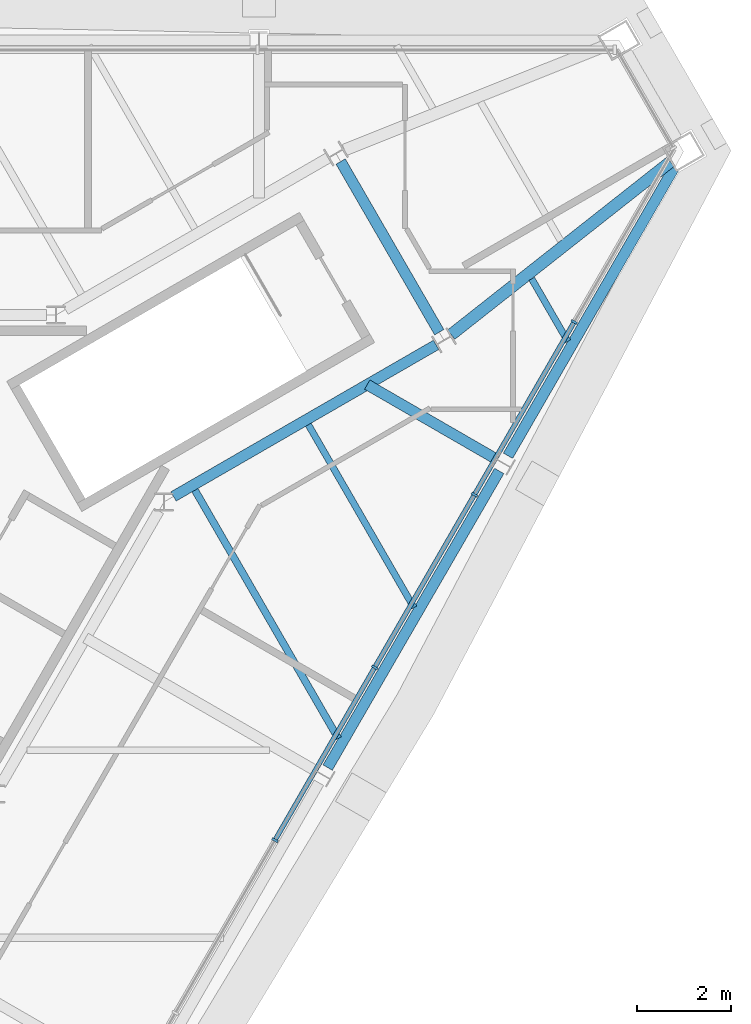
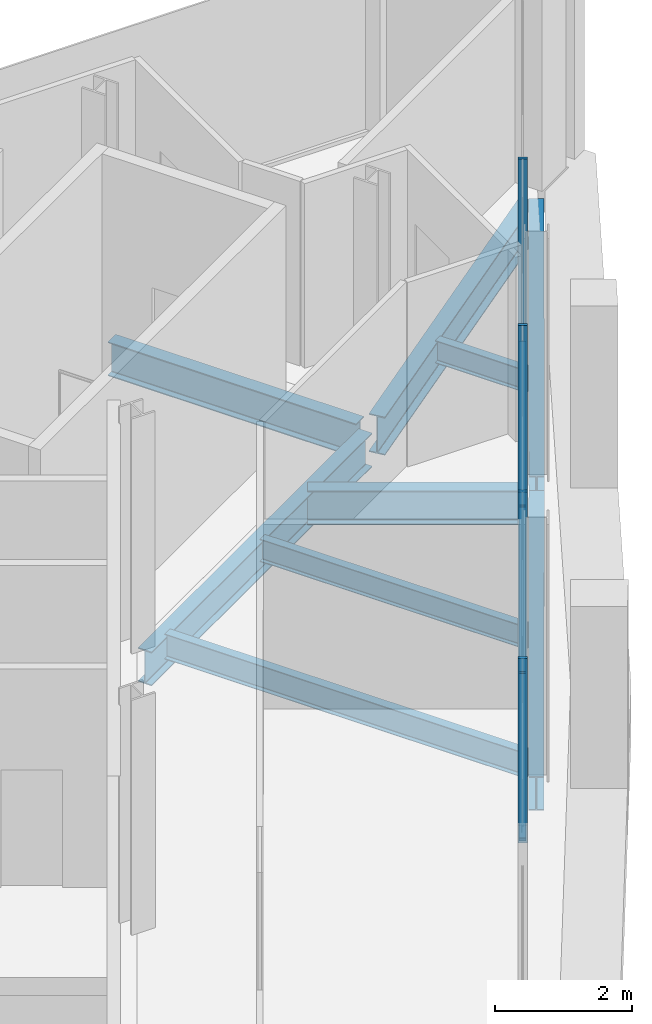
# One storey, part 5 of 11: 9 beams, 7 members, 1 element without a shape of its own.
"""IFC4 building model written with IfcOpenShell, lengths in metres."""

from ifc_helpers import new_model, si_unit, direction, frame, origin, origin_2d, place, context, subcontext, project, spatial, rectangle, i_section, extrude, material, material_profile, profile_set, type_object, element, aggregate, save


model = new_model("IFC4")

# Units and contexts
model_context = context("Model", 3, precision=1e-05, world=origin(), true_north=direction((0.0, 1.0)))
body_context = subcontext(model_context, "Body", "Model", "MODEL_VIEW")
ifc_project = project(units=[si_unit("LENGTHUNIT", "METRE"), si_unit("AREAUNIT", "SQUARE_METRE"), si_unit("VOLUMEUNIT", "CUBIC_METRE"), si_unit("PLANEANGLEUNIT", "RADIAN"), si_unit("MASSUNIT", "GRAM", prefix="KILO")], contexts=[model_context])

# Site, building, storey
site_placement = place(None, origin())
site = spatial("IfcSite", under=ifc_project, at=site_placement, CompositionType="ELEMENT")
building_placement = place(site_placement, origin())
building = spatial("IfcBuilding", under=site, at=building_placement, Name="Verrane Prism Tower", CompositionType="ELEMENT")
storey_placement = place(building_placement, frame((0.0, 0.0, 329.39990234375)))
storey = spatial("IfcBuildingStorey", under=building, at=storey_placement, Name="L83", CompositionType="ELEMENT", Elevation=329.39990234375)

# Beams
ifc_material_1 = material(Name="Steel A992", Category="steel")
ifc_material_profile_1 = material_profile(ifc_material_1, i_section(OverallWidth=0.228271484375, OverallDepth=0.607177734375, WebThickness=0.01123046875, FlangeThickness=0.017333984375, FilletRadius=0.0126953125, at=origin_2d()), Name="W24x76")
ifc_profile_set_1 = profile_set([ifc_material_profile_1], Name="Steel A992")
beam_type_1 = type_object("IfcBeamType", Name="Core ring girder W24x76", PredefinedType="BEAM", material=ifc_profile_set_1)
beam_1_placement = place(storey_placement, frame((9.679443359375, 2.93505859375, -0.553466796875), z_axis=(0.866076057046, 0.499912255713, 0.0), x_axis=(-0.499912255713, 0.866076057046, 0.0)))
element("IfcBeam", 1, at=beam_1_placement, inside=storey, type_object=beam_type_1, Name="Core ring girder L83", PredefinedType="BEAM", context=body_context, shape_type="SweptSolid", body=[
    extrude(i_section(OverallWidth=0.228271484375, OverallDepth=0.607177734375, WebThickness=0.01123046875, FlangeThickness=0.017333984375, FilletRadius=0.0126953125, at=origin_2d()), origin(), (0.0, 0.0, 1.0), 6.458251953125),
])
beam_2_placement = place(storey_placement, frame((15.340087890625, 6.4326171875, -0.553466796875), z_axis=(-0.500323136493, 0.865838760445, 0.0), x_axis=(-0.865838760445, -0.500323136493, 0.0)))
element("IfcBeam", 2, at=beam_2_placement, inside=storey, type_object=beam_type_1, Name="Core ring girder L83", PredefinedType="BEAM", context=body_context, shape_type="SweptSolid", body=[
    extrude(i_section(OverallWidth=0.228271484375, OverallDepth=0.607177734375, WebThickness=0.01123046875, FlangeThickness=0.017333984375, FilletRadius=0.0126953125, at=origin_2d()), origin(), (0.0, 0.0, 1.0), 4.197998046875),
])
ifc_material_2 = material(Name="Steel A992", Category="steel")
ifc_material_profile_2 = material_profile(ifc_material_2, i_section(OverallWidth=0.25390625, OverallDepth=0.683349609375, WebThickness=0.012451171875, FlangeThickness=0.01904296875, FilletRadius=0.01513671875, at=origin_2d()), Name="W27x94")
ifc_profile_set_2 = profile_set([ifc_material_profile_2], Name="Steel A992")
beam_type_2 = type_object("IfcBeamType", Name="Corner girder W27x94", PredefinedType="BEAM", material=ifc_profile_set_2)
beam_3_placement = place(storey_placement, frame((20.26220703125, 10.06103515625, -0.5615234375), z_axis=(-0.785339810319, -0.619064925777, 0.0), x_axis=(0.619064925777, -0.785339810319, 0.0)))
element("IfcBeam", 3, at=beam_3_placement, inside=storey, type_object=beam_type_2, Name="Corner girder L83", PredefinedType="BEAM", context=body_context, shape_type="SweptSolid", body=[
    extrude(i_section(OverallWidth=0.25390625, OverallDepth=0.683349609375, WebThickness=0.012451171875, FlangeThickness=0.01904296875, FilletRadius=0.01513671875, at=origin_2d()), origin(), (0.0, 0.0, 1.0), 5.945068359375),
])
ifc_material_3 = material(Name="Steel A992", Category="steel")
ifc_material_profile_3 = material_profile(ifc_material_3, i_section(OverallWidth=0.140380859375, OverallDepth=0.40380859375, WebThickness=0.007080078125, FlangeThickness=0.01123046875, FilletRadius=0.01025390625, at=origin_2d()), Name="W16x31")
ifc_profile_set_3 = profile_set([ifc_material_profile_3], Name="Steel A992")
beam_type_3 = type_object("IfcBeamType", Name="Floor beam W16x31", PredefinedType="BEAM", material=ifc_profile_set_3)
beam_4_placement = place(storey_placement, frame((14.801513671875, 0.5673828125, -0.36181640625), z_axis=(-0.500038829804, 0.866002984226, 0.0), x_axis=(-0.866002984226, -0.500038829804, 0.0)))
element("IfcBeam", 4, at=beam_4_placement, inside=storey, type_object=beam_type_3, Name="Floor beam L83", PredefinedType="BEAM", context=body_context, shape_type="SweptSolid", body=[
    extrude(i_section(OverallWidth=0.140380859375, OverallDepth=0.40380859375, WebThickness=0.007080078125, FlangeThickness=0.01123046875, FilletRadius=0.01025390625, at=origin_2d()), origin(), (0.0, 0.0, 1.0), 4.497802734375),
])
beam_5_placement = place(storey_placement, frame((18.076904296875, 6.23779296875, -0.36181640625), z_axis=(-0.499978844458, 0.866037617598, 0.0), x_axis=(-0.866037617598, -0.499978844458, 0.0)))
element("IfcBeam", 5, at=beam_5_placement, inside=storey, type_object=beam_type_3, Name="Floor beam L83", PredefinedType="BEAM", context=body_context, shape_type="SweptSolid", body=[
    extrude(i_section(OverallWidth=0.140380859375, OverallDepth=0.40380859375, WebThickness=0.007080078125, FlangeThickness=0.01123046875, FilletRadius=0.01025390625, at=origin_2d()), origin(), (0.0, 0.0, 1.0), 1.53857421875),
])
ifc_material_4 = material(Name="Steel A992", Category="steel")
ifc_material_profile_4 = material_profile(ifc_material_4, i_section(OverallWidth=0.15234375, OverallDepth=0.449462890625, WebThickness=0.007568359375, FlangeThickness=0.0107421875, FilletRadius=0.01025390625, at=origin_2d()), Name="W18x35")
ifc_profile_set_4 = profile_set([ifc_material_profile_4], Name="Steel A992")
beam_type_4 = type_object("IfcBeamType", Name="Floor beam W18x35", PredefinedType="BEAM", material=ifc_profile_set_4)
beam_6_placement = place(storey_placement, frame((13.189697265625, -2.219482421875, -0.384765625), z_axis=(-0.499979762145, 0.8660370878, 0.0), x_axis=(-0.8660370878, -0.499979762145, 0.0)))
element("IfcBeam", 6, at=beam_6_placement, inside=storey, type_object=beam_type_4, Name="Floor beam L83", PredefinedType="BEAM", context=body_context, shape_type="SweptSolid", body=[
    extrude(i_section(OverallWidth=0.15234375, OverallDepth=0.449462890625, WebThickness=0.007568359375, FlangeThickness=0.0107421875, FilletRadius=0.01025390625, at=origin_2d()), origin(), (0.0, 0.0, 1.0), 6.105224609375),
])

# Curtain wall, members
ifc_material_5 = material(Name="Aluminium framed insulated glazing", Category="aluminium")
curtain_wall_type = type_object("IfcCurtainWallType", Name="Curtain wall CW-C 4200 module", PredefinedType="NOTDEFINED", material=ifc_material_5)
curtain_wall_placement = place(storey_placement, origin())
curtain_wall = element("IfcCurtainWall", 7, at=curtain_wall_placement, inside=storey, type_object=curtain_wall_type, Name="Glazed curtain wall south-east face L83", PredefinedType="NOTDEFINED")
ifc_material_6 = material(Name="Aluminium alloy 6063-T6", Category="aluminium")
ifc_material_profile_5 = material_profile(ifc_material_6, rectangle(XDim=0.139892578125, YDim=0.050048828125, at=origin_2d()), Name="Mullion 50x140 aluminium")
ifc_profile_set_5 = profile_set([ifc_material_profile_5], Name="Aluminium alloy 6063-T6")
member_type_1 = type_object("IfcMemberType", Name="Mullion 50x140 aluminium", PredefinedType="MULLION", material=ifc_profile_set_5)
member_1_placement = place(storey_placement, frame((11.841552734375, -4.38427734375, 0.0), z_axis=(0.0, 0.0, 1.0), x_axis=(-0.866025278644, 0.500000216749, 0.0)))
member_1 = element("IfcMember", 8, at=member_1_placement, type_object=member_type_1, Name="CW83.6 mullion 6", PredefinedType="MULLION", context=body_context, shape_type="SweptSolid", body=[
    extrude(rectangle(XDim=0.139892578125, YDim=0.050048828125, at=origin_2d()), origin(), (0.0, 0.0, 1.0), 3.296875),
])
member_2_placement = place(storey_placement, frame((13.96533203125, -0.705810546875, 0.0), z_axis=(0.0, 0.0, 1.0), x_axis=(-0.866025278644, 0.500000216749, 0.0)))
member_2 = element("IfcMember", 9, at=member_2_placement, type_object=member_type_1, Name="CW83.6 mullion 7", PredefinedType="MULLION", context=body_context, shape_type="SweptSolid", body=[
    extrude(rectangle(XDim=0.139892578125, YDim=0.050048828125, at=origin_2d()), origin(), (0.0, 0.0, 1.0), 3.296875),
])
member_3_placement = place(storey_placement, frame((16.089111328125, 2.97265625, 0.0), z_axis=(0.0, 0.0, 1.0), x_axis=(-0.866025278644, 0.500000216749, 0.0)))
member_3 = element("IfcMember", 10, at=member_3_placement, type_object=member_type_1, Name="CW83.6 mullion 8", PredefinedType="MULLION", context=body_context, shape_type="SweptSolid", body=[
    extrude(rectangle(XDim=0.139892578125, YDim=0.050048828125, at=origin_2d()), origin(), (0.0, 0.0, 1.0), 3.296875),
])
member_4_placement = place(storey_placement, frame((18.212890625, 6.651123046875, 0.0), z_axis=(0.0, 0.0, 1.0), x_axis=(-0.866025278644, 0.500000216749, 0.0)))
member_4 = element("IfcMember", 11, at=member_4_placement, type_object=member_type_1, Name="CW83.6 mullion 9", PredefinedType="MULLION", context=body_context, shape_type="SweptSolid", body=[
    extrude(rectangle(XDim=0.139892578125, YDim=0.050048828125, at=origin_2d()), origin(), (0.0, 0.0, 1.0), 3.296875),
])

# Beams
ifc_material_7 = material(Name="Steel A992", Category="steel")
ifc_material_profile_6 = material_profile(ifc_material_7, i_section(OverallWidth=0.228271484375, OverallDepth=0.607177734375, WebThickness=0.01123046875, FlangeThickness=0.017333984375, FilletRadius=0.0126953125, at=origin_2d()), Name="W24x76")
ifc_profile_set_6 = profile_set([ifc_material_profile_6], Name="Steel A992")
beam_type_5 = type_object("IfcBeamType", Name="Radial girder W24x76", PredefinedType="BEAM", material=ifc_profile_set_6)
beam_7_placement = place(storey_placement, frame((16.550537109375, 3.732177734375, -0.5234375), z_axis=(-0.866011117715, 0.500024743381, 0.0), x_axis=(-0.500024743381, -0.866011117715, 0.0)))
element("IfcBeam", 12, at=beam_7_placement, inside=storey, type_object=beam_type_5, Name="Radial girder L83", PredefinedType="BEAM", context=body_context, shape_type="SweptSolid", body=[
    extrude(i_section(OverallWidth=0.228271484375, OverallDepth=0.607177734375, WebThickness=0.01123046875, FlangeThickness=0.017333984375, FilletRadius=0.0126953125, at=origin_2d()), origin(), (0.0, 0.0, 1.0), 3.169189453125),
])
ifc_material_8 = material(Name="Steel A992", Category="steel")
ifc_material_profile_7 = material_profile(ifc_material_8, i_section(OverallWidth=0.228271484375, OverallDepth=0.607177734375, WebThickness=0.01123046875, FlangeThickness=0.017333984375, FilletRadius=0.0126953125, at=origin_2d()), Name="W24x76")
ifc_profile_set_7 = profile_set([ifc_material_profile_7], Name="Steel A992")
beam_type_6 = type_object("IfcBeamType", Name="Spandrel beam W24x76", PredefinedType="SPANDREL", material=ifc_profile_set_7)
beam_8_placement = place(storey_placement, frame((12.96337890625, -2.83837890625, -0.46337890625), z_axis=(0.50061813753, 0.865668227658, 0.0), x_axis=(-0.865668227658, 0.50061813753, 0.0)))
element("IfcBeam", 13, at=beam_8_placement, inside=storey, type_object=beam_type_6, Name="Spandrel beam L83", PredefinedType="SPANDREL", context=body_context, shape_type="SweptSolid", body=[
    extrude(i_section(OverallWidth=0.228271484375, OverallDepth=0.607177734375, WebThickness=0.01123046875, FlangeThickness=0.017333984375, FilletRadius=0.0126953125, at=origin_2d()), origin(), (0.0, 0.0, 1.0), 7.297119140625),
])
beam_9_placement = place(storey_placement, frame((16.80322265625, 3.8017578125, -0.46337890625), z_axis=(0.499650748497, 0.866226950358, 0.0), x_axis=(-0.866226950358, 0.499650748497, 0.0)))
element("IfcBeam", 14, at=beam_9_placement, inside=storey, type_object=beam_type_6, Name="Spandrel beam L83", PredefinedType="SPANDREL", context=body_context, shape_type="SweptSolid", body=[
    extrude(i_section(OverallWidth=0.228271484375, OverallDepth=0.607177734375, WebThickness=0.01123046875, FlangeThickness=0.017333984375, FilletRadius=0.0126953125, at=origin_2d()), origin(), (0.0, 0.0, 1.0), 7.07421875),
])

# Member
ifc_material_9 = material(Name="Aluminium alloy 6063-T6", Category="aluminium")
ifc_material_profile_8 = material_profile(ifc_material_9, rectangle(XDim=0.10009765625, YDim=0.050048828125, at=origin_2d()), Name="Transom 50x100 aluminium")
ifc_profile_set_8 = profile_set([ifc_material_profile_8], Name="Aluminium alloy 6063-T6")
member_type_2 = type_object("IfcMemberType", Name="Transom 50x100 aluminium", PredefinedType="USERDEFINED", material=ifc_profile_set_8)
member_5_placement = place(storey_placement, frame((11.85400390625, -4.36279296875, 0.025146484375), z_axis=(0.500011101102, 0.866018994465, 0.0), x_axis=(-0.866018994465, 0.500011101102, 0.0)))
member_5 = element("IfcMember", 15, at=member_5_placement, type_object=member_type_2, Name="CW83.6 transom 6", ObjectType="TRANSOM", PredefinedType="USERDEFINED", context=body_context, shape_type="SweptSolid", body=[
    extrude(rectangle(XDim=0.10009765625, YDim=0.050048828125, at=origin_2d()), origin(), (0.0, 0.0, 1.0), 4.19775390625),
])

member_6_placement = place(storey_placement, frame((13.977783203125, -0.684326171875, 0.025146484375), z_axis=(0.500011101102, 0.866018994465, 0.0), x_axis=(-0.866018994465, 0.500011101102, 0.0)))
member_6 = element("IfcMember", 16, at=member_6_placement, type_object=member_type_2, Name="CW83.6 transom 7", ObjectType="TRANSOM", PredefinedType="USERDEFINED", context=body_context, shape_type="SweptSolid", body=[
    extrude(rectangle(XDim=0.10009765625, YDim=0.050048828125, at=origin_2d()), origin(), (0.0, 0.0, 1.0), 4.19775390625),
])

member_7_placement = place(storey_placement, frame((16.1015625, 2.994384765625, 0.025146484375), z_axis=(0.500036287034, 0.866004452442, 0.0), x_axis=(-0.866004452442, 0.500036287034, 0.0)))
member_7 = element("IfcMember", 17, at=member_7_placement, type_object=member_type_2, Name="CW83.6 transom 8", ObjectType="TRANSOM", PredefinedType="USERDEFINED", context=body_context, shape_type="SweptSolid", body=[
    extrude(rectangle(XDim=0.10009765625, YDim=0.050048828125, at=origin_2d()), origin(), (0.0, 0.0, 1.0), 4.197509765625),
])

aggregate(curtain_wall, [member_1, member_2, member_3, member_4, member_5, member_6, member_7])

save(model, "model.ifc")
